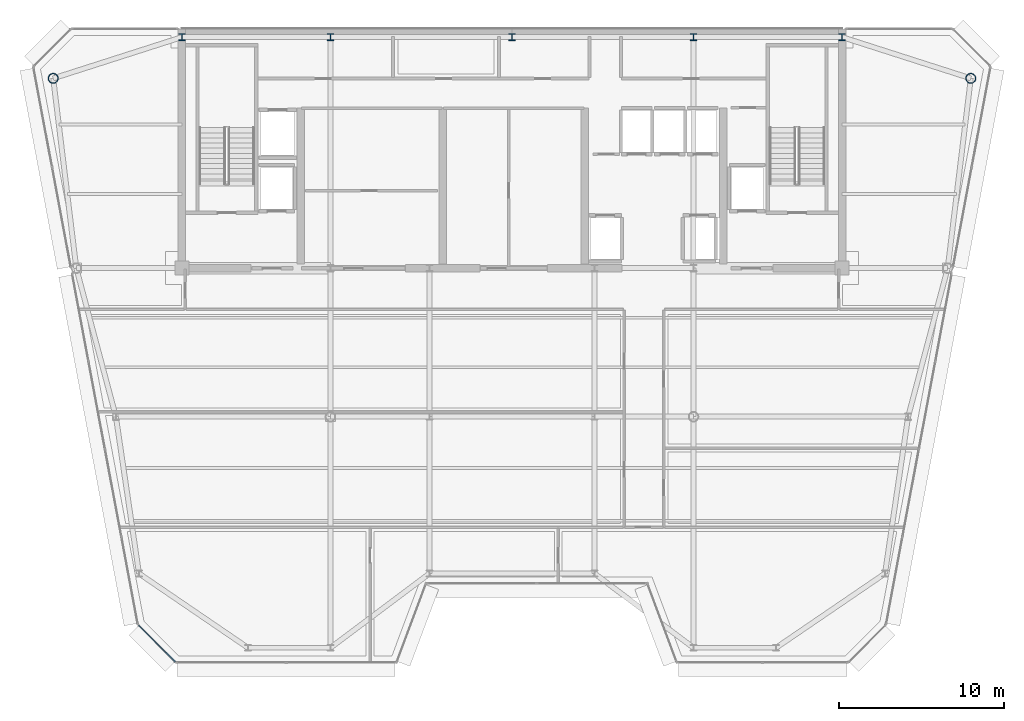
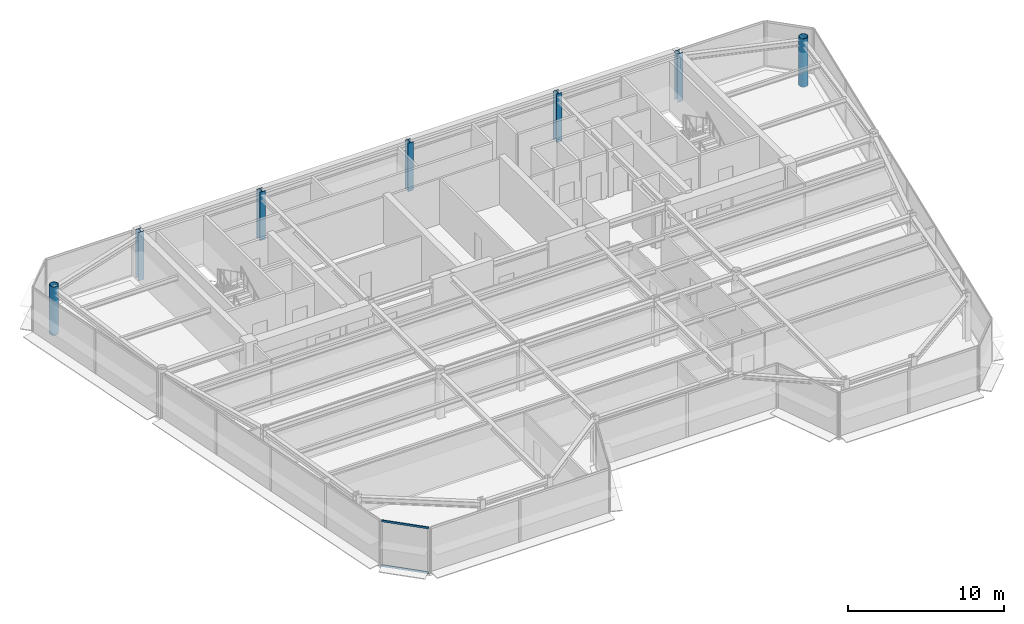
# One storey, part 2 of 19: 7 columns, 2 members, 1 element without a shape of its own.
"""IFC4 building model written with IfcOpenShell, lengths in metres."""

from ifc_helpers import new_model, si_unit, direction, frame, origin, origin_2d, place, context, subcontext, project, spatial, rectangle, hollow_circle, i_section, extrude, source, transform, mapped, material, layer, layer_set, material_profile, profile_set, type_object, element, aggregate, save


model = new_model("IFC4")

# Units and contexts
model_context = context("Model", 3, precision=1e-05, world=origin(), true_north=direction((0.0, 1.0)))
body_context = subcontext(model_context, "Body", "Model", "MODEL_VIEW")
ifc_project = project(units=[si_unit("LENGTHUNIT", "METRE"), si_unit("AREAUNIT", "SQUARE_METRE"), si_unit("VOLUMEUNIT", "CUBIC_METRE"), si_unit("PLANEANGLEUNIT", "RADIAN"), si_unit("MASSUNIT", "GRAM", prefix="KILO")], contexts=[model_context])

# Site, building, storey
site_placement = place(None, origin())
site = spatial("IfcSite", under=ifc_project, at=site_placement, CompositionType="ELEMENT")
building_placement = place(site_placement, origin())
building = spatial("IfcBuilding", under=site, at=building_placement, Name="Vaeldorn Concourse Tower", CompositionType="ELEMENT")
storey_placement = place(building_placement, frame((0.0, 0.0, 287.800048828125)))
storey = spatial("IfcBuildingStorey", under=building, at=storey_placement, Name="L74", CompositionType="ELEMENT", Elevation=287.800048828125)

# Columns
ifc_material_1 = material(Name="Steel S355", Category="steel")
ifc_material_profile_1 = material_profile(ifc_material_1, i_section(OverallWidth=0.406005859375, OverallDepth=0.416015625, WebThickness=0.02978515625, FlangeThickness=0.0419921875, FilletRadius=0.014892578125, at=origin_2d()), Name="HD 400x382")
ifc_profile_set_1 = profile_set([ifc_material_profile_1], Name="Steel S355")
column_type_1 = type_object("IfcColumnType", Name="COL-HD382", PredefinedType="COLUMN", material=ifc_profile_set_1)
shared_shape_1 = source(origin(), body_context, "Body", "SweptSolid", [
    extrude(i_section(OverallWidth=0.406005859375, OverallDepth=0.416015625, WebThickness=0.02978515625, FlangeThickness=0.0419921875, FilletRadius=0.014892578125, at=origin_2d()), origin(), (0.0, 0.0, 1.0), 3.800048828125),
])
for number, where, z_axis, x_axis, name in (
    (1, (14.0, 50.5, 0.0), (0.0, 0.0, 1.0), (1.0, 0.0, 0.0), "Column C-HC1 L74"),
    (2, (23.0, 50.5, 0.0), (0.0, 0.0, 1.0), (1.0, 0.0, 0.0), "Column C-HC2 L74"),
    (3, (34.0, 50.5, 0.0), (0.0, 0.0, 1.0), (1.0, 0.0, 0.0), "Column C-HC3 L74"),
    (4, (45.0, 50.5, 0.0), (0.0, 0.0, 1.0), (1.0, 0.0, 0.0), "Column C-HC4 L74"),
    (5, (54.0, 50.5, 0.0), (0.0, 0.0, 1.0), (1.0, 0.0, 0.0), "Column C-HC5 L74"),
):
    element("IfcColumn", number, at=place(storey_placement, frame(where, z_axis=z_axis, x_axis=x_axis)), inside=storey, type_object=column_type_1, Name=name, PredefinedType="COLUMN", context=body_context, shape_type="MappedRepresentation", body=[
        mapped(shared_shape_1, transform((0.0, 0.0, 0.0), scale=1.0)),
    ])
ifc_material_profile_2 = material_profile(ifc_material_1, hollow_circle(Radius=0.304931640625, WallThickness=0.030029296875, at=origin_2d()), Name="CHS 610x30")
ifc_profile_set_2 = profile_set([ifc_material_profile_2], Name="Steel S355")
column_type_2 = type_object("IfcColumnType", Name="COL-CHS610", PredefinedType="COLUMN", material=ifc_profile_set_2)
shared_shape_2 = source(origin(), body_context, "Body", "SweptSolid", [
    extrude(hollow_circle(Radius=0.304931640625, WallThickness=0.030029296875, at=origin_2d()), origin(), (0.0, 0.0, 1.0), 3.800048828125),
])
for number, where, z_axis, x_axis, name in (
    (6, (6.199951171875, 48.0, 0.0), (0.0, 0.0, 1.0), (1.0, 0.0, 0.0), "Column C-NW1 L74"),
    (7, (61.800048828125, 48.0, 0.0), (0.0, 0.0, 1.0), (1.0, 0.0, 0.0), "Column C-NE1 L74"),
):
    element("IfcColumn", number, at=place(storey_placement, frame(where, z_axis=z_axis, x_axis=x_axis)), inside=storey, type_object=column_type_2, Name=name, PredefinedType="COLUMN", context=body_context, shape_type="MappedRepresentation", body=[
        mapped(shared_shape_2, transform((0.0, 0.0, 0.0), scale=1.0)),
    ])

# Curtain wall, members
ifc_material_2 = material(Name="Anodised Bronze Aluminium", Category="aluminium")
ifc_layer = layer(ifc_material_2, 0.179931640625)
ifc_layer_set = layer_set([ifc_layer], Name="Anodised Bronze Aluminium")
curtain_wall_type = type_object("IfcCurtainWallType", Name="CW-SYS-05", PredefinedType="NOTDEFINED", material=ifc_layer_set)
curtain_wall_placement = place(storey_placement, origin())
curtain_wall = element("IfcCurtainWall", 8, at=curtain_wall_placement, inside=storey, type_object=curtain_wall_type, Name="Unitised Curtain Wall CW-L74-E12-1", PredefinedType="NOTDEFINED")
ifc_material_profile_3 = material_profile(ifc_material_2, rectangle(XDim=0.06494140625, YDim=0.14990234375, at=origin_2d()), Name="CWT 65x150")
ifc_profile_set_3 = profile_set([ifc_material_profile_3], Name="Anodised Bronze Aluminium")
member_type = type_object("IfcMemberType", Name="CWT-BRONZE-150", PredefinedType="USERDEFINED", material=ifc_profile_set_3)
shared_shape_3 = source(origin(), body_context, "Body", "SweptSolid", [
    extrude(rectangle(XDim=0.06494140625, YDim=0.14990234375, at=origin_2d()), origin(), (0.0, 0.0, 1.0), 3.12255859375),
])
member_1_placement = place(storey_placement, frame((11.382080078125, 14.85400390625, 0.032470703125), z_axis=(0.707106781187, -0.707106781187, 0.0), x_axis=(0.707106781187, 0.707106781187, 0.0)))
member_1 = element("IfcMember", 9, at=member_1_placement, type_object=member_type, Name="CW-05 transom 1.1", ObjectType="TRANSOM", PredefinedType="USERDEFINED", context=body_context, shape_type="MappedRepresentation", body=[
    mapped(shared_shape_3, transform((0.0, 0.0, 0.0), scale=1.0)),
])
member_2_placement = place(storey_placement, frame((11.382080078125, 14.85400390625, 3.54736328125), z_axis=(0.707106781187, -0.707106781187, 0.0), x_axis=(0.707106781187, 0.707106781187, 0.0)))
member_2 = element("IfcMember", 10, at=member_2_placement, type_object=member_type, Name="CW-05 transom 1.2", ObjectType="TRANSOM", PredefinedType="USERDEFINED", context=body_context, shape_type="MappedRepresentation", body=[
    mapped(shared_shape_3, transform((0.0, 0.0, 0.0), scale=1.0)),
])
aggregate(curtain_wall, [member_1, member_2])

save(model, "model.ifc")
